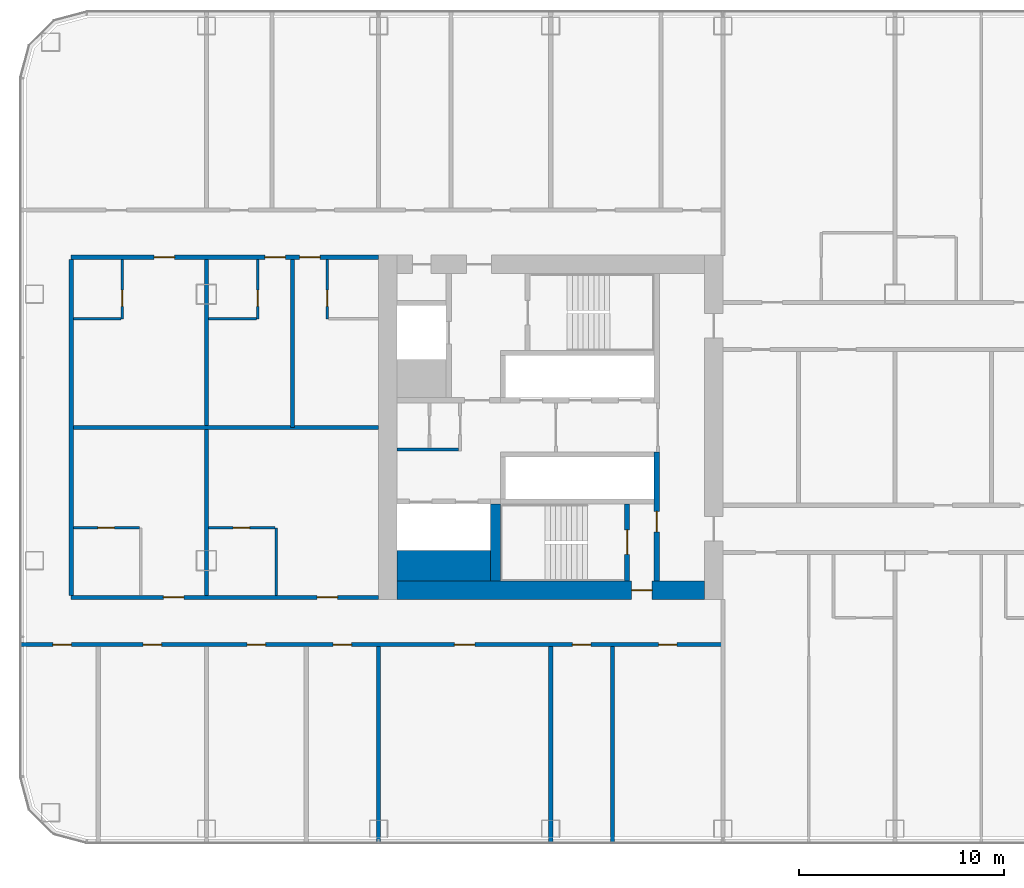
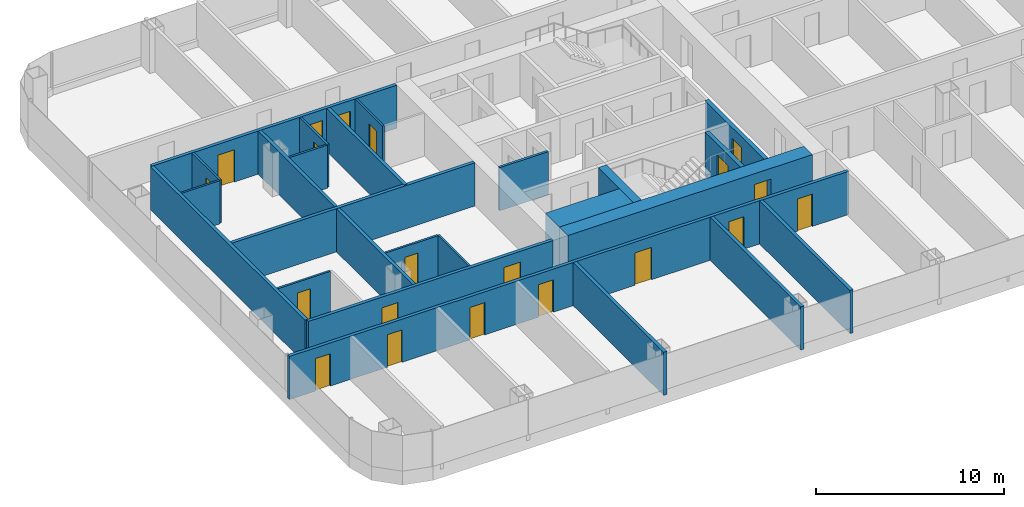
# One storey, part 13 of 28: 24 walls, 20 doors, 20 openings.
"""IFC4 building model written with IfcOpenShell, lengths in metres."""

from ifc_helpers import new_model, si_unit, direction, frame, frame_2d, origin, place, context, subcontext, project, spatial, rectangle, extrude, material, layer, layer_set, type_object, element, fill, save


model = new_model("IFC4")

# Units and contexts
model_context = context("Model", 3, precision=1e-05, world=origin(), true_north=direction((0.0, 1.0)))
body_context = subcontext(model_context, "Body", "Model", "MODEL_VIEW")
ifc_project = project(units=[si_unit("LENGTHUNIT", "METRE"), si_unit("AREAUNIT", "SQUARE_METRE"), si_unit("VOLUMEUNIT", "CUBIC_METRE"), si_unit("PLANEANGLEUNIT", "RADIAN"), si_unit("MASSUNIT", "GRAM", prefix="KILO")], contexts=[model_context])

# Site, building, storey
site_placement = place(None, origin())
site = spatial("IfcSite", under=ifc_project, at=site_placement, CompositionType="ELEMENT")
building_placement = place(site_placement, origin())
building = spatial("IfcBuilding", under=site, at=building_placement, Name="Hakoniwa Tower and Hamabe Station Hall", CompositionType="ELEMENT")
storey_placement = place(building_placement, frame((0.0, 0.0, 32.60009765625)))
storey = spatial("IfcBuildingStorey", under=building, at=storey_placement, Name="L08", CompositionType="ELEMENT", Elevation=32.60009765625)

# Wall, opening, door
ifc_material_1 = material(Name="Gypsum board partition", Category="gypsum")
ifc_layer_1 = layer(ifc_material_1, 0.125)
ifc_layer_set_1 = layer_set([ifc_layer_1], Name="Bathroom Partition 125")
wall_type_1 = type_object("IfcWallType", Name="Bathroom Partition 125", PredefinedType="PARTITIONING", material=ifc_layer_set_1)
wall_1_placement = place(storey_placement, frame((-48.5, -4.89990234375, 0.0), z_axis=(0.0, 0.0, 1.0), x_axis=(1.0, 0.0, 0.0)))
wall_1 = element("IfcWall", 1, at=wall_1_placement, inside=storey, type_object=wall_type_1, Name="GW-L08-011", PredefinedType="PARTITIONING", context=body_context, shape_type="SweptSolid", body=[
    extrude(rectangle(XDim=3.237548828125, YDim=0.125, at=frame_2d((1.61865234375, 0.0))), origin(), (0.0, 0.0, 1.0), 2.7998046875),
])
opening_1_placement = place(wall_1_placement, frame((1.199951171875, 0.0, 0.0)))
opening_1 = element("IfcOpeningElement", 2, at=opening_1_placement, cuts=wall_1, Name="Opening GD-G1E0-24", PredefinedType="OPENING", context=body_context, shape_type="SweptSolid", body=[
    extrude(rectangle(XDim=0.800048828125, YDim=2.10009765625, at=frame_2d((0.39990234375, 1.050048828125))), frame((0.0, 0.072509765625, 0.0), z_axis=(0.0, -1.0, 0.0), x_axis=(1.0, 0.0, 0.0)), (0.0, 0.0, 1.0), 0.14501953125),
])
ifc_material_2 = material(Name="Timber door leaf", Category="wood")
door_type_1 = type_object("IfcDoorType", Name="Bathroom Door 800", OperationType="SINGLE_SWING_LEFT", PredefinedType="DOOR", material=ifc_material_2)
door_1_placement = place(opening_1_placement, origin())
door_1 = element("IfcDoor", 3, at=door_1_placement, inside=storey, type_object=door_type_1, Name="Door GD-G1E0-24", OperationType="SINGLE_SWING_RIGHT", OverallHeight=2.10009765625, OverallWidth=0.800048828125, PredefinedType="DOOR", context=body_context, shape_type="SweptSolid", body=[
    extrude(rectangle(XDim=0.800048828125, YDim=2.10009765625, at=frame_2d((0.39990234375, 1.050048828125))), frame((0.0, 0.02490234375, 0.0), z_axis=(0.0, -1.0, 0.0), x_axis=(1.0, 0.0, 0.0)), (0.0, 0.0, 1.0), 0.050048828125),
])
fill(opening_1, door_1)

wall_2_placement = place(storey_placement, frame((-41.89990234375, -4.89990234375, 0.0), z_axis=(0.0, 0.0, 1.0), x_axis=(1.0, 0.0, 0.0)))
wall_2 = element("IfcWall", 4, at=wall_2_placement, inside=storey, type_object=wall_type_1, Name="GW-L08-012", PredefinedType="PARTITIONING", context=body_context, shape_type="SweptSolid", body=[
    extrude(rectangle(XDim=3.2373046875, YDim=0.125, at=frame_2d((1.61865234375, 0.0))), origin(), (0.0, 0.0, 1.0), 2.7998046875),
])
opening_2_placement = place(wall_2_placement, frame((1.199951171875, 0.0, 0.0)))
opening_2 = element("IfcOpeningElement", 5, at=opening_2_placement, cuts=wall_2, Name="Opening GD-G1E0-25", PredefinedType="OPENING", context=body_context, shape_type="SweptSolid", body=[
    extrude(rectangle(XDim=0.800048828125, YDim=2.10009765625, at=frame_2d((0.39990234375, 1.050048828125))), frame((0.0, 0.072509765625, 0.0), z_axis=(0.0, -1.0, 0.0), x_axis=(1.0, 0.0, 0.0)), (0.0, 0.0, 1.0), 0.14501953125),
])
door_2_placement = place(opening_2_placement, origin())
door_2 = element("IfcDoor", 6, at=door_2_placement, inside=storey, type_object=door_type_1, Name="Door GD-G1E0-25", OperationType="SINGLE_SWING_LEFT", OverallHeight=2.10009765625, OverallWidth=0.800048828125, PredefinedType="DOOR", context=body_context, shape_type="SweptSolid", body=[
    extrude(rectangle(XDim=0.800048828125, YDim=2.10009765625, at=frame_2d((0.39990234375, 1.050048828125))), frame((0.0, 0.02490234375, 0.0), z_axis=(0.0, -1.0, 0.0), x_axis=(1.0, 0.0, 0.0)), (0.0, 0.0, 1.0), 0.050048828125),
])
fill(opening_2, door_2)

# Walls
for number, where, z_axis, x_axis, name in (
    (7, (-48.5, 5.300048828125, 0.0), (0.0, 0.0, 1.0), (1.0, 0.0, 0.0), "GW-L08-019"),
    (8, (-41.89990234375, 5.300048828125, 0.0), (0.0, 0.0, 1.0), (1.0, 0.0, 0.0), "GW-L08-020"),
):
    element("IfcWall", number, at=place(storey_placement, frame(where, z_axis=z_axis, x_axis=x_axis)), inside=storey, type_object=wall_type_1, Name=name, PredefinedType="PARTITIONING", context=body_context, shape_type="SweptSolid", body=[
        extrude(rectangle(XDim=2.33740234375, YDim=0.125, at=frame_2d((1.168701171875, 0.0))), origin(), (0.0, 0.0, 1.0), 2.7998046875),
    ])

# Wall, opening, door
wall_3_placement = place(storey_placement, frame((-46.10009765625, 5.300048828125, 0.0), z_axis=(0.0, 0.0, 1.0), x_axis=(0.0, 1.0, 0.0)))
wall_3 = element("IfcWall", 9, at=wall_3_placement, inside=storey, type_object=wall_type_1, Name="GW-L08-038", PredefinedType="PARTITIONING", context=body_context, shape_type="SweptSolid", body=[
    extrude(rectangle(XDim=2.89990234375, YDim=0.125, at=frame_2d((1.449951171875, 0.0))), origin(), (0.0, 0.0, 1.0), 2.7998046875),
])
opening_3_placement = place(wall_3_placement, frame((0.60009765625, 0.0, 0.0)))
opening_3 = element("IfcOpeningElement", 10, at=opening_3_placement, cuts=wall_3, Name="Opening GD-G1E0-64", PredefinedType="OPENING", context=body_context, shape_type="SweptSolid", body=[
    extrude(rectangle(XDim=0.800048828125, YDim=2.10009765625, at=frame_2d((0.39990234375, 1.050048828125))), frame((0.0, 0.072509765625, 0.0), z_axis=(0.0, -1.0, 0.0), x_axis=(1.0, 0.0, 0.0)), (0.0, 0.0, 1.0), 0.14501953125),
])
door_3_placement = place(opening_3_placement, origin())
door_3 = element("IfcDoor", 11, at=door_3_placement, inside=storey, type_object=door_type_1, Name="Door GD-G1E0-64", OperationType="SINGLE_SWING_RIGHT", OverallHeight=2.10009765625, OverallWidth=0.800048828125, PredefinedType="DOOR", context=body_context, shape_type="SweptSolid", body=[
    extrude(rectangle(XDim=0.800048828125, YDim=2.10009765625, at=frame_2d((0.39990234375, 1.050048828125))), frame((0.0, 0.02490234375, 0.0), z_axis=(0.0, -1.0, 0.0), x_axis=(1.0, 0.0, 0.0)), (0.0, 0.0, 1.0), 0.050048828125),
])
fill(opening_3, door_3)

wall_4_placement = place(storey_placement, frame((-39.5, 5.300048828125, 0.0), z_axis=(0.0, 0.0, 1.0), x_axis=(0.0, 1.0, 0.0)))
wall_4 = element("IfcWall", 12, at=wall_4_placement, inside=storey, type_object=wall_type_1, Name="GW-L08-043", PredefinedType="PARTITIONING", context=body_context, shape_type="SweptSolid", body=[
    extrude(rectangle(XDim=2.89990234375, YDim=0.125, at=frame_2d((1.449951171875, 0.0))), origin(), (0.0, 0.0, 1.0), 2.7998046875),
])
opening_4_placement = place(wall_4_placement, frame((0.60009765625, 0.0, 0.0)))
opening_4 = element("IfcOpeningElement", 13, at=opening_4_placement, cuts=wall_4, Name="Opening GD-G1E0-65", PredefinedType="OPENING", context=body_context, shape_type="SweptSolid", body=[
    extrude(rectangle(XDim=0.800048828125, YDim=2.10009765625, at=frame_2d((0.39990234375, 1.050048828125))), frame((0.0, 0.072509765625, 0.0), z_axis=(0.0, -1.0, 0.0), x_axis=(1.0, 0.0, 0.0)), (0.0, 0.0, 1.0), 0.14501953125),
])
door_4_placement = place(opening_4_placement, origin())
door_4 = element("IfcDoor", 14, at=door_4_placement, inside=storey, type_object=door_type_1, Name="Door GD-G1E0-65", OperationType="SINGLE_SWING_RIGHT", OverallHeight=2.10009765625, OverallWidth=0.800048828125, PredefinedType="DOOR", context=body_context, shape_type="SweptSolid", body=[
    extrude(rectangle(XDim=0.800048828125, YDim=2.10009765625, at=frame_2d((0.39990234375, 1.050048828125))), frame((0.0, 0.02490234375, 0.0), z_axis=(0.0, -1.0, 0.0), x_axis=(1.0, 0.0, 0.0)), (0.0, 0.0, 1.0), 0.050048828125),
])
fill(opening_4, door_4)

# Wall
wall_5_placement = place(storey_placement, frame((-38.60009765625, -8.199951171875, 0.0), z_axis=(0.0, 0.0, 1.0), x_axis=(0.0, 1.0, 0.0)))
element("IfcWall", 15, at=wall_5_placement, inside=storey, type_object=wall_type_1, Name="GW-L08-045", PredefinedType="PARTITIONING", context=body_context, shape_type="SweptSolid", body=[
    extrude(rectangle(XDim=3.300048828125, YDim=0.125, at=frame_2d((1.64990234375, 0.0))), origin(), (0.0, 0.0, 1.0), 2.7998046875),
])

# Wall, opening, door
wall_6_placement = place(storey_placement, frame((-36.10009765625, 5.300048828125, 0.0), z_axis=(0.0, 0.0, 1.0), x_axis=(0.0, 1.0, 0.0)))
wall_6 = element("IfcWall", 16, at=wall_6_placement, inside=storey, type_object=wall_type_1, Name="GW-L08-048", PredefinedType="PARTITIONING", context=body_context, shape_type="SweptSolid", body=[
    extrude(rectangle(XDim=2.89990234375, YDim=0.125, at=frame_2d((1.449951171875, 0.0))), origin(), (0.0, 0.0, 1.0), 2.7998046875),
])
opening_5_placement = place(wall_6_placement, frame((0.60009765625, 0.0, 0.0)))
opening_5 = element("IfcOpeningElement", 17, at=opening_5_placement, cuts=wall_6, Name="Opening GD-G1E0-66", PredefinedType="OPENING", context=body_context, shape_type="SweptSolid", body=[
    extrude(rectangle(XDim=0.800048828125, YDim=2.10009765625, at=frame_2d((0.39990234375, 1.050048828125))), frame((0.0, 0.072509765625, 0.0), z_axis=(0.0, -1.0, 0.0), x_axis=(1.0, 0.0, 0.0)), (0.0, 0.0, 1.0), 0.14501953125),
])
door_5_placement = place(opening_5_placement, origin())
door_5 = element("IfcDoor", 18, at=door_5_placement, inside=storey, type_object=door_type_1, Name="Door GD-G1E0-66", OperationType="SINGLE_SWING_LEFT", OverallHeight=2.10009765625, OverallWidth=0.800048828125, PredefinedType="DOOR", context=body_context, shape_type="SweptSolid", body=[
    extrude(rectangle(XDim=0.800048828125, YDim=2.10009765625, at=frame_2d((0.39990234375, 1.050048828125))), frame((0.0, 0.02490234375, 0.0), z_axis=(0.0, -1.0, 0.0), x_axis=(1.0, 0.0, 0.0)), (0.0, 0.0, 1.0), 0.050048828125),
])
fill(opening_5, door_5)

# Wall
ifc_material_3 = material(Name="Gypsum board partition")
ifc_layer_2 = layer(ifc_material_3, 0.14990234375)
ifc_layer_set_2 = layer_set([ifc_layer_2], Name="CORE PARTITION 150 EI 60")
wall_type_2 = type_object("IfcWallType", Name="CORE PARTITION 150 EI 60", PredefinedType="PARTITIONING", material=ifc_layer_set_2)
wall_7_placement = place(storey_placement, frame((-32.699951171875, -1.074951171875, 0.0), z_axis=(0.0, 0.0, 1.0), x_axis=(1.0, 0.0, 0.0)))
element("IfcWall", 19, at=wall_7_placement, inside=storey, type_object=wall_type_2, Name="Core partition PS west", PredefinedType="PARTITIONING", context=body_context, shape_type="SweptSolid", body=[
    extrude(rectangle(XDim=3.0, YDim=0.14990234375, at=frame_2d((1.5, 0.0))), origin(), (0.0, 0.0, 1.0), 2.7998046875),
])

# Wall, opening, door
ifc_material_4 = material(Name="Concrete C80", Category="concrete")
ifc_layer_3 = layer(ifc_material_4, 0.89990234375)
ifc_layer_set_3 = layer_set([ifc_layer_3], Name="CORE WALL 900 C80")
wall_type_3 = type_object("IfcWallType", Name="CORE WALL 900 C80", PredefinedType="SHEAR", material=ifc_layer_set_3)
wall_8_placement = place(storey_placement, frame((-32.699951171875, -7.949951171875, 0.0), z_axis=(0.0, 0.0, 1.0), x_axis=(1.0, 0.0, 0.0)))
wall_8 = element("IfcWall", 20, at=wall_8_placement, inside=storey, type_object=wall_type_3, Name="Core wall SOUTH west", PredefinedType="SHEAR", context=body_context, shape_type="SweptSolid", body=[
    extrude(rectangle(XDim=15.0, YDim=0.89990234375, at=frame_2d((7.5, 0.0))), origin(), (0.0, 0.0, 1.0), 2.7998046875),
])
opening_6_placement = place(wall_8_placement, frame((11.449951171875, 0.0, 0.0)))
opening_6 = element("IfcOpeningElement", 21, at=opening_6_placement, cuts=wall_8, Name="Opening CD-W-FS3-10", PredefinedType="OPENING", context=body_context, shape_type="SweptSolid", body=[
    extrude(rectangle(XDim=1.0, YDim=2.10009765625, at=frame_2d((0.5, 1.050048828125))), frame((0.0, 0.4599609375, 0.0), z_axis=(0.0, -1.0, 0.0), x_axis=(1.0, 0.0, 0.0)), (0.0, 0.0, 1.0), 0.919921875),
])
ifc_material_5 = material(Name="Steel fire door", Category="steel")
door_type_2 = type_object("IfcDoorType", Name="CORE DOOR 1000 FD60", OperationType="NOTDEFINED", PredefinedType="DOOR", material=ifc_material_5)
door_6_placement = place(opening_6_placement, origin())
door_6 = element("IfcDoor", 22, at=door_6_placement, inside=storey, type_object=door_type_2, Name="Stair vestibule door", OperationType="SINGLE_SWING_RIGHT", OverallHeight=2.10009765625, OverallWidth=1.0, PredefinedType="DOOR", context=body_context, shape_type="SweptSolid", body=[
    extrude(rectangle(XDim=1.0, YDim=2.10009765625, at=frame_2d((0.5, 1.050048828125))), frame((0.0, 0.02490234375, 0.0), z_axis=(0.0, -1.0, 0.0), x_axis=(1.0, 0.0, 0.0)), (0.0, 0.0, 1.0), 0.050048828125),
])
fill(opening_6, door_6)

# Wall
ifc_material_6 = material(Name="Concrete C80", Category="concrete")
ifc_layer_4 = layer(ifc_material_6, 1.5)
ifc_layer_set_4 = layer_set([ifc_layer_4], Name="CORE WEB WALL 1500 C80")
wall_type_4 = type_object("IfcWallType", Name="CORE WEB WALL 1500 C80", PredefinedType="SHEAR", material=ifc_layer_set_4)
wall_9_placement = place(storey_placement, frame((-32.699951171875, -6.75, 0.0), z_axis=(0.0, 0.0, 1.0), x_axis=(1.0, 0.0, 0.0)))
element("IfcWall", 23, at=wall_9_placement, inside=storey, type_object=wall_type_4, Name="Core wall SER west", PredefinedType="SHEAR", context=body_context, shape_type="SweptSolid", body=[
    extrude(rectangle(XDim=4.550048828125, YDim=1.5, at=frame_2d((2.27490234375, 0.0))), origin(), (0.0, 0.0, 1.0), 2.7998046875),
])

# Wall, opening, door
ifc_material_7 = material(Name="Concrete C80", Category="concrete")
ifc_layer_5 = layer(ifc_material_7, 0.25)
ifc_layer_set_5 = layer_set([ifc_layer_5], Name="CORE WEB WALL 250 C80")
wall_type_5 = type_object("IfcWallType", Name="CORE WEB WALL 250 C80", PredefinedType="SHEAR", material=ifc_layer_set_5)
wall_10_placement = place(storey_placement, frame((-20.02490234375, -7.5, 0.0), z_axis=(0.0, 0.0, 1.0), x_axis=(0.0, 1.0, 0.0)))
wall_10 = element("IfcWall", 24, at=wall_10_placement, inside=storey, type_object=wall_type_5, Name="Core wall W1S west", PredefinedType="SHEAR", context=body_context, shape_type="SweptSolid", body=[
    extrude(rectangle(XDim=6.300048828125, YDim=0.25, at=frame_2d((3.14990234375, 0.0))), origin(), (0.0, 0.0, 1.0), 2.7998046875),
])
opening_7_placement = place(wall_10_placement, frame((2.39990234375, 0.0, 0.0)))
opening_7 = element("IfcOpeningElement", 25, at=opening_7_placement, cuts=wall_10, Name="Opening CD-W-VS-10", PredefinedType="OPENING", context=body_context, shape_type="SweptSolid", body=[
    extrude(rectangle(XDim=1.0, YDim=2.10009765625, at=frame_2d((0.5, 1.050048828125))), frame((0.0, 0.135009765625, 0.0), z_axis=(0.0, -1.0, 0.0), x_axis=(1.0, 0.0, 0.0)), (0.0, 0.0, 1.0), 0.27001953125),
])
door_7_placement = place(opening_7_placement, origin())
door_7 = element("IfcDoor", 26, at=door_7_placement, inside=storey, type_object=door_type_2, Name="Stair vestibule door", OperationType="SINGLE_SWING_LEFT", OverallHeight=2.10009765625, OverallWidth=1.0, PredefinedType="DOOR", context=body_context, shape_type="SweptSolid", body=[
    extrude(rectangle(XDim=1.0, YDim=2.10009765625, at=frame_2d((0.5, 1.050048828125))), frame((0.0, 0.02490234375, 0.0), z_axis=(0.0, -1.0, 0.0), x_axis=(1.0, 0.0, 0.0)), (0.0, 0.0, 1.0), 0.050048828125),
])
fill(opening_7, door_7)

wall_11_placement = place(storey_placement, frame((-21.47509765625, -7.5, 0.0), z_axis=(0.0, 0.0, 1.0), x_axis=(0.0, 1.0, 0.0)))
wall_11 = element("IfcWall", 27, at=wall_11_placement, inside=storey, type_object=wall_type_5, Name="Core wall VE west", PredefinedType="SHEAR", context=body_context, shape_type="SweptSolid", body=[
    extrude(rectangle(XDim=3.75, YDim=0.25, at=frame_2d((1.875, 0.0))), origin(), (0.0, 0.0, 1.0), 2.7998046875),
])
opening_8_placement = place(wall_11_placement, frame((1.300048828125, 0.0, 0.0)))
opening_8 = element("IfcOpeningElement", 28, at=opening_8_placement, cuts=wall_11, Name="Opening CD-W-SS-12", PredefinedType="OPENING", context=body_context, shape_type="SweptSolid", body=[
    extrude(rectangle(XDim=1.199951171875, YDim=2.10009765625, at=frame_2d((0.60009765625, 1.050048828125))), frame((0.0, 0.135009765625, 0.0), z_axis=(0.0, -1.0, 0.0), x_axis=(1.0, 0.0, 0.0)), (0.0, 0.0, 1.0), 0.27001953125),
])
ifc_material_8 = material(Name="Steel fire door", Category="steel")
door_type_3 = type_object("IfcDoorType", Name="CORE DOOR 1200 FD60", OperationType="DOUBLE_DOOR_SINGLE_SWING", PredefinedType="DOOR", material=ifc_material_8)
door_8_placement = place(opening_8_placement, origin())
door_8 = element("IfcDoor", 29, at=door_8_placement, inside=storey, type_object=door_type_3, Name="Escape stair door", OperationType="DOUBLE_DOOR_SINGLE_SWING", OverallHeight=2.10009765625, OverallWidth=1.199951171875, PredefinedType="DOOR", context=body_context, shape_type="SweptSolid", body=[
    extrude(rectangle(XDim=1.199951171875, YDim=2.10009765625, at=frame_2d((0.60009765625, 1.050048828125))), frame((0.0, 0.02490234375, 0.0), z_axis=(0.0, -1.0, 0.0), x_axis=(1.0, 0.0, 0.0)), (0.0, 0.0, 1.0), 0.050048828125),
])
fill(opening_8, door_8)

# Wall
ifc_material_9 = material(Name="Concrete C80", Category="concrete")
ifc_layer_6 = layer(ifc_material_9, 0.5)
ifc_layer_set_6 = layer_set([ifc_layer_6], Name="CORE WEB WALL 500 C80")
wall_type_6 = type_object("IfcWallType", Name="CORE WEB WALL 500 C80", PredefinedType="SHEAR", material=ifc_layer_set_6)
wall_12_placement = place(storey_placement, frame((-27.89990234375, -7.5, 0.0), z_axis=(0.0, 0.0, 1.0), x_axis=(0.0, 1.0, 0.0)))
element("IfcWall", 30, at=wall_12_placement, inside=storey, type_object=wall_type_6, Name="Core wall SSE west", PredefinedType="SHEAR", context=body_context, shape_type="SweptSolid", body=[
    extrude(rectangle(XDim=3.75, YDim=0.5, at=frame_2d((1.875, 0.0))), origin(), (0.0, 0.0, 1.0), 2.7998046875),
])

# Wall, openings, doors
ifc_material_10 = material(Name="Fire-rated gypsum board partition", Category="gypsum")
ifc_layer_7 = layer(ifc_material_10, 0.199951171875)
ifc_layer_set_7 = layer_set([ifc_layer_7], Name="Corridor Wall 200")
wall_type_7 = type_object("IfcWallType", Name="Corridor Wall 200", PredefinedType="PARTITIONING", material=ifc_layer_set_7)
wall_13_placement = place(storey_placement, frame((-51.10009765625, -10.60009765625, 0.0), z_axis=(0.0, 0.0, 1.0), x_axis=(1.0, 0.0, 0.0)))
wall_13 = element("IfcWall", 31, at=wall_13_placement, inside=storey, type_object=wall_type_7, Name="GW-L08-001", PredefinedType="PARTITIONING", context=body_context, shape_type="SweptSolid", body=[
    extrude(rectangle(XDim=34.300048828125, YDim=0.199951171875, at=frame_2d((17.14990234375, 0.0))), origin(), (0.0, 0.0, 1.0), 2.7998046875),
])
opening_9_placement = place(wall_13_placement, frame((1.610107421875, 0.0, 0.0)))
opening_9 = element("IfcOpeningElement", 32, at=opening_9_placement, cuts=wall_13, Name="Opening GD-G1E0-01", PredefinedType="OPENING", context=body_context, shape_type="SweptSolid", body=[
    extrude(rectangle(XDim=0.89990234375, YDim=2.10009765625, at=frame_2d((0.449951171875, 1.050048828125))), frame((0.0, 0.10986328125, 0.0), z_axis=(0.0, -1.0, 0.0), x_axis=(1.0, 0.0, 0.0)), (0.0, 0.0, 1.0), 0.219970703125),
])
opening_10_placement = place(wall_13_placement, frame((6.010009765625, 0.0, 0.0)))
opening_10 = element("IfcOpeningElement", 33, at=opening_10_placement, cuts=wall_13, Name="Opening GD-G1E0-02", PredefinedType="OPENING", context=body_context, shape_type="SweptSolid", body=[
    extrude(rectangle(XDim=0.89990234375, YDim=2.10009765625, at=frame_2d((0.449951171875, 1.050048828125))), frame((0.0, 0.10986328125, 0.0), z_axis=(0.0, -1.0, 0.0), x_axis=(1.0, 0.0, 0.0)), (0.0, 0.0, 1.0), 0.219970703125),
])
opening_11_placement = place(wall_13_placement, frame((11.0849609375, 0.0, 0.0)))
opening_11 = element("IfcOpeningElement", 34, at=opening_11_placement, cuts=wall_13, Name="Opening GD-G1E0-03", PredefinedType="OPENING", context=body_context, shape_type="SweptSolid", body=[
    extrude(rectangle(XDim=0.89990234375, YDim=2.10009765625, at=frame_2d((0.449951171875, 1.050048828125))), frame((0.0, 0.10986328125, 0.0), z_axis=(0.0, -1.0, 0.0), x_axis=(1.0, 0.0, 0.0)), (0.0, 0.0, 1.0), 0.219970703125),
])
opening_12_placement = place(wall_13_placement, frame((15.284912109375, 0.0, 0.0)))
opening_12 = element("IfcOpeningElement", 35, at=opening_12_placement, cuts=wall_13, Name="Opening GD-G1E0-04", PredefinedType="OPENING", context=body_context, shape_type="SweptSolid", body=[
    extrude(rectangle(XDim=0.89990234375, YDim=2.10009765625, at=frame_2d((0.449951171875, 1.050048828125))), frame((0.0, 0.10986328125, 0.0), z_axis=(0.0, -1.0, 0.0), x_axis=(1.0, 0.0, 0.0)), (0.0, 0.0, 1.0), 0.219970703125),
])
opening_13_placement = place(wall_13_placement, frame((21.199951171875, 0.0, 0.0)))
opening_13 = element("IfcOpeningElement", 36, at=opening_13_placement, cuts=wall_13, Name="Opening GD-G1E0-05", PredefinedType="OPENING", context=body_context, shape_type="SweptSolid", body=[
    extrude(rectangle(XDim=1.0, YDim=2.10009765625, at=frame_2d((0.5, 1.050048828125))), frame((0.0, 0.10986328125, 0.0), z_axis=(0.0, -1.0, 0.0), x_axis=(1.0, 0.0, 0.0)), (0.0, 0.0, 1.0), 0.219970703125),
])
opening_14_placement = place(wall_13_placement, frame((26.9599609375, 0.0, 0.0)))
opening_14 = element("IfcOpeningElement", 37, at=opening_14_placement, cuts=wall_13, Name="Opening GD-G1E0-06", PredefinedType="OPENING", context=body_context, shape_type="SweptSolid", body=[
    extrude(rectangle(XDim=0.89990234375, YDim=2.10009765625, at=frame_2d((0.449951171875, 1.050048828125))), frame((0.0, 0.10986328125, 0.0), z_axis=(0.0, -1.0, 0.0), x_axis=(1.0, 0.0, 0.0)), (0.0, 0.0, 1.0), 0.219970703125),
])
opening_15_placement = place(wall_13_placement, frame((31.159912109375, 0.0, 0.0)))
opening_15 = element("IfcOpeningElement", 38, at=opening_15_placement, cuts=wall_13, Name="Opening GD-G1E0-07", PredefinedType="OPENING", context=body_context, shape_type="SweptSolid", body=[
    extrude(rectangle(XDim=0.89990234375, YDim=2.10009765625, at=frame_2d((0.449951171875, 1.050048828125))), frame((0.0, 0.10986328125, 0.0), z_axis=(0.0, -1.0, 0.0), x_axis=(1.0, 0.0, 0.0)), (0.0, 0.0, 1.0), 0.219970703125),
])
ifc_material_11 = material(Name="Timber door leaf", Category="wood")
door_type_4 = type_object("IfcDoorType", Name="Guest Entrance Door 1000", OperationType="SINGLE_SWING_LEFT", PredefinedType="DOOR", material=ifc_material_11)
door_9_placement = place(opening_13_placement, origin())
door_9 = element("IfcDoor", 39, at=door_9_placement, inside=storey, type_object=door_type_4, Name="Door GD-G1E0-05", OperationType="SINGLE_SWING_LEFT", OverallHeight=2.10009765625, OverallWidth=1.0, PredefinedType="DOOR", context=body_context, shape_type="SweptSolid", body=[
    extrude(rectangle(XDim=1.0, YDim=2.10009765625, at=frame_2d((0.5, 1.050048828125))), frame((0.0, 0.02490234375, 0.0), z_axis=(0.0, -1.0, 0.0), x_axis=(1.0, 0.0, 0.0)), (0.0, 0.0, 1.0), 0.050048828125),
])
fill(opening_13, door_9)
ifc_material_12 = material(Name="Timber door leaf", Category="wood")
door_type_5 = type_object("IfcDoorType", Name="Service Door 900", OperationType="SINGLE_SWING_LEFT", PredefinedType="DOOR", material=ifc_material_12)
door_10_placement = place(opening_9_placement, origin())
door_10 = element("IfcDoor", 40, at=door_10_placement, inside=storey, type_object=door_type_5, Name="Door GD-G1E0-01", OperationType="SINGLE_SWING_RIGHT", OverallHeight=2.10009765625, OverallWidth=0.89990234375, PredefinedType="DOOR", context=body_context, shape_type="SweptSolid", body=[
    extrude(rectangle(XDim=0.89990234375, YDim=2.10009765625, at=frame_2d((0.449951171875, 1.050048828125))), frame((0.0, 0.02490234375, 0.0), z_axis=(0.0, -1.0, 0.0), x_axis=(1.0, 0.0, 0.0)), (0.0, 0.0, 1.0), 0.050048828125),
])
fill(opening_9, door_10)
door_11_placement = place(opening_10_placement, origin())
door_11 = element("IfcDoor", 41, at=door_11_placement, inside=storey, type_object=door_type_5, Name="Door GD-G1E0-02", OperationType="SINGLE_SWING_RIGHT", OverallHeight=2.10009765625, OverallWidth=0.89990234375, PredefinedType="DOOR", context=body_context, shape_type="SweptSolid", body=[
    extrude(rectangle(XDim=0.89990234375, YDim=2.10009765625, at=frame_2d((0.449951171875, 1.050048828125))), frame((0.0, 0.02490234375, 0.0), z_axis=(0.0, -1.0, 0.0), x_axis=(1.0, 0.0, 0.0)), (0.0, 0.0, 1.0), 0.050048828125),
])
fill(opening_10, door_11)
door_12_placement = place(opening_11_placement, origin())
door_12 = element("IfcDoor", 42, at=door_12_placement, inside=storey, type_object=door_type_5, Name="Door GD-G1E0-03", OperationType="SINGLE_SWING_LEFT", OverallHeight=2.10009765625, OverallWidth=0.89990234375, PredefinedType="DOOR", context=body_context, shape_type="SweptSolid", body=[
    extrude(rectangle(XDim=0.89990234375, YDim=2.10009765625, at=frame_2d((0.449951171875, 1.050048828125))), frame((0.0, 0.02490234375, 0.0), z_axis=(0.0, -1.0, 0.0), x_axis=(1.0, 0.0, 0.0)), (0.0, 0.0, 1.0), 0.050048828125),
])
fill(opening_11, door_12)
door_13_placement = place(opening_12_placement, origin())
door_13 = element("IfcDoor", 43, at=door_13_placement, inside=storey, type_object=door_type_5, Name="Door GD-G1E0-04", OperationType="SINGLE_SWING_RIGHT", OverallHeight=2.10009765625, OverallWidth=0.89990234375, PredefinedType="DOOR", context=body_context, shape_type="SweptSolid", body=[
    extrude(rectangle(XDim=0.89990234375, YDim=2.10009765625, at=frame_2d((0.449951171875, 1.050048828125))), frame((0.0, 0.02490234375, 0.0), z_axis=(0.0, -1.0, 0.0), x_axis=(1.0, 0.0, 0.0)), (0.0, 0.0, 1.0), 0.050048828125),
])
fill(opening_12, door_13)
door_14_placement = place(opening_14_placement, origin())
door_14 = element("IfcDoor", 44, at=door_14_placement, inside=storey, type_object=door_type_5, Name="Door GD-G1E0-06", OperationType="SINGLE_SWING_RIGHT", OverallHeight=2.10009765625, OverallWidth=0.89990234375, PredefinedType="DOOR", context=body_context, shape_type="SweptSolid", body=[
    extrude(rectangle(XDim=0.89990234375, YDim=2.10009765625, at=frame_2d((0.449951171875, 1.050048828125))), frame((0.0, 0.02490234375, 0.0), z_axis=(0.0, -1.0, 0.0), x_axis=(1.0, 0.0, 0.0)), (0.0, 0.0, 1.0), 0.050048828125),
])
fill(opening_14, door_14)
door_15_placement = place(opening_15_placement, origin())
door_15 = element("IfcDoor", 45, at=door_15_placement, inside=storey, type_object=door_type_5, Name="Door GD-G1E0-07", OperationType="SINGLE_SWING_LEFT", OverallHeight=2.10009765625, OverallWidth=0.89990234375, PredefinedType="DOOR", context=body_context, shape_type="SweptSolid", body=[
    extrude(rectangle(XDim=0.89990234375, YDim=2.10009765625, at=frame_2d((0.449951171875, 1.050048828125))), frame((0.0, 0.02490234375, 0.0), z_axis=(0.0, -1.0, 0.0), x_axis=(1.0, 0.0, 0.0)), (0.0, 0.0, 1.0), 0.050048828125),
])
fill(opening_15, door_15)

wall_14_placement = place(storey_placement, frame((-48.60009765625, -8.300048828125, 0.0), z_axis=(0.0, 0.0, 1.0), x_axis=(1.0, 0.0, 0.0)))
wall_14 = element("IfcWall", 46, at=wall_14_placement, inside=storey, type_object=wall_type_7, Name="GW-L08-006", PredefinedType="PARTITIONING", context=body_context, shape_type="SweptSolid", body=[
    extrude(rectangle(XDim=15.0, YDim=0.199951171875, at=frame_2d((7.5, 0.0))), origin(), (0.0, 0.0, 1.0), 2.7998046875),
])
opening_16_placement = place(wall_14_placement, frame((4.5, 0.0, 0.0)))
opening_16 = element("IfcOpeningElement", 47, at=opening_16_placement, cuts=wall_14, Name="Opening GD-G1E0-15", PredefinedType="OPENING", context=body_context, shape_type="SweptSolid", body=[
    extrude(rectangle(XDim=1.0, YDim=2.10009765625, at=frame_2d((0.5, 1.050048828125))), frame((0.0, 0.10986328125, 0.0), z_axis=(0.0, -1.0, 0.0), x_axis=(1.0, 0.0, 0.0)), (0.0, 0.0, 1.0), 0.219970703125),
])
opening_17_placement = place(wall_14_placement, frame((12.0, 0.0, 0.0)))
opening_17 = element("IfcOpeningElement", 48, at=opening_17_placement, cuts=wall_14, Name="Opening GD-G1E0-16", PredefinedType="OPENING", context=body_context, shape_type="SweptSolid", body=[
    extrude(rectangle(XDim=1.0, YDim=2.10009765625, at=frame_2d((0.5, 1.050048828125))), frame((0.0, 0.10986328125, 0.0), z_axis=(0.0, -1.0, 0.0), x_axis=(1.0, 0.0, 0.0)), (0.0, 0.0, 1.0), 0.219970703125),
])
door_16_placement = place(opening_16_placement, origin())
door_16 = element("IfcDoor", 49, at=door_16_placement, inside=storey, type_object=door_type_4, Name="Door GD-G1E0-15", OperationType="SINGLE_SWING_LEFT", OverallHeight=2.10009765625, OverallWidth=1.0, PredefinedType="DOOR", context=body_context, shape_type="SweptSolid", body=[
    extrude(rectangle(XDim=1.0, YDim=2.10009765625, at=frame_2d((0.5, 1.050048828125))), frame((0.0, 0.02490234375, 0.0), z_axis=(0.0, -1.0, 0.0), x_axis=(1.0, 0.0, 0.0)), (0.0, 0.0, 1.0), 0.050048828125),
])
fill(opening_16, door_16)
door_17_placement = place(opening_17_placement, origin())
door_17 = element("IfcDoor", 50, at=door_17_placement, inside=storey, type_object=door_type_4, Name="Door GD-G1E0-16", OperationType="SINGLE_SWING_RIGHT", OverallHeight=2.10009765625, OverallWidth=1.0, PredefinedType="DOOR", context=body_context, shape_type="SweptSolid", body=[
    extrude(rectangle(XDim=1.0, YDim=2.10009765625, at=frame_2d((0.5, 1.050048828125))), frame((0.0, 0.02490234375, 0.0), z_axis=(0.0, -1.0, 0.0), x_axis=(1.0, 0.0, 0.0)), (0.0, 0.0, 1.0), 0.050048828125),
])
fill(opening_17, door_17)

wall_15_placement = place(storey_placement, frame((-48.60009765625, 8.300048828125, 0.0), z_axis=(0.0, 0.0, 1.0), x_axis=(1.0, 0.0, 0.0)))
wall_15 = element("IfcWall", 51, at=wall_15_placement, inside=storey, type_object=wall_type_7, Name="GW-L08-025", PredefinedType="PARTITIONING", context=body_context, shape_type="SweptSolid", body=[
    extrude(rectangle(XDim=15.0, YDim=0.199951171875, at=frame_2d((7.5, 0.0))), origin(), (0.0, 0.0, 1.0), 2.7998046875),
])
opening_18_placement = place(wall_15_placement, frame((4.050048828125, 0.0, 0.0)))
opening_18 = element("IfcOpeningElement", 52, at=opening_18_placement, cuts=wall_15, Name="Opening GD-G1E0-40", PredefinedType="OPENING", context=body_context, shape_type="SweptSolid", body=[
    extrude(rectangle(XDim=1.0, YDim=2.10009765625, at=frame_2d((0.5, 1.050048828125))), frame((0.0, 0.10986328125, 0.0), z_axis=(0.0, -1.0, 0.0), x_axis=(1.0, 0.0, 0.0)), (0.0, 0.0, 1.0), 0.219970703125),
])
opening_19_placement = place(wall_15_placement, frame((9.449951171875, 0.0, 0.0)))
opening_19 = element("IfcOpeningElement", 53, at=opening_19_placement, cuts=wall_15, Name="Opening GD-G1E0-41", PredefinedType="OPENING", context=body_context, shape_type="SweptSolid", body=[
    extrude(rectangle(XDim=1.0, YDim=2.10009765625, at=frame_2d((0.5, 1.050048828125))), frame((0.0, 0.10986328125, 0.0), z_axis=(0.0, -1.0, 0.0), x_axis=(1.0, 0.0, 0.0)), (0.0, 0.0, 1.0), 0.219970703125),
])
opening_20_placement = place(wall_15_placement, frame((11.14990234375, 0.0, 0.0)))
opening_20 = element("IfcOpeningElement", 54, at=opening_20_placement, cuts=wall_15, Name="Opening GD-G1E0-42", PredefinedType="OPENING", context=body_context, shape_type="SweptSolid", body=[
    extrude(rectangle(XDim=1.0, YDim=2.10009765625, at=frame_2d((0.5, 1.050048828125))), frame((0.0, 0.10986328125, 0.0), z_axis=(0.0, -1.0, 0.0), x_axis=(1.0, 0.0, 0.0)), (0.0, 0.0, 1.0), 0.219970703125),
])
door_18_placement = place(opening_18_placement, origin())
door_18 = element("IfcDoor", 55, at=door_18_placement, inside=storey, type_object=door_type_4, Name="Door GD-G1E0-40", OperationType="SINGLE_SWING_RIGHT", OverallHeight=2.10009765625, OverallWidth=1.0, PredefinedType="DOOR", context=body_context, shape_type="SweptSolid", body=[
    extrude(rectangle(XDim=1.0, YDim=2.10009765625, at=frame_2d((0.5, 1.050048828125))), frame((0.0, 0.02490234375, 0.0), z_axis=(0.0, -1.0, 0.0), x_axis=(1.0, 0.0, 0.0)), (0.0, 0.0, 1.0), 0.050048828125),
])
fill(opening_18, door_18)
door_19_placement = place(opening_19_placement, origin())
door_19 = element("IfcDoor", 56, at=door_19_placement, inside=storey, type_object=door_type_4, Name="Door GD-G1E0-41", OperationType="SINGLE_SWING_LEFT", OverallHeight=2.10009765625, OverallWidth=1.0, PredefinedType="DOOR", context=body_context, shape_type="SweptSolid", body=[
    extrude(rectangle(XDim=1.0, YDim=2.10009765625, at=frame_2d((0.5, 1.050048828125))), frame((0.0, 0.02490234375, 0.0), z_axis=(0.0, -1.0, 0.0), x_axis=(1.0, 0.0, 0.0)), (0.0, 0.0, 1.0), 0.050048828125),
])
fill(opening_19, door_19)
door_20_placement = place(opening_20_placement, origin())
door_20 = element("IfcDoor", 57, at=door_20_placement, inside=storey, type_object=door_type_4, Name="Door GD-G1E0-42", OperationType="SINGLE_SWING_RIGHT", OverallHeight=2.10009765625, OverallWidth=1.0, PredefinedType="DOOR", context=body_context, shape_type="SweptSolid", body=[
    extrude(rectangle(XDim=1.0, YDim=2.10009765625, at=frame_2d((0.5, 1.050048828125))), frame((0.0, 0.02490234375, 0.0), z_axis=(0.0, -1.0, 0.0), x_axis=(1.0, 0.0, 0.0)), (0.0, 0.0, 1.0), 0.050048828125),
])
fill(opening_20, door_20)

# Walls
ifc_material_13 = material(Name="Fire-rated gypsum board partition", Category="gypsum")
ifc_layer_8 = layer(ifc_material_13, 0.199951171875)
ifc_layer_set_8 = layer_set([ifc_layer_8], Name="Party Wall 200")
wall_type_8 = type_object("IfcWallType", Name="Party Wall 200", PredefinedType="PARTITIONING", material=ifc_layer_set_8)
wall_16_placement = place(storey_placement, frame((-48.5, 0.0, 0.0), z_axis=(0.0, 0.0, 1.0), x_axis=(1.0, 0.0, 0.0)))
element("IfcWall", 58, at=wall_16_placement, inside=storey, type_object=wall_type_8, Name="GW-L08-015", PredefinedType="PARTITIONING", context=body_context, shape_type="SweptSolid", body=[
    extrude(rectangle(XDim=14.89990234375, YDim=0.199951171875, at=frame_2d((7.449951171875, 0.0))), origin(), (0.0, 0.0, 1.0), 2.7998046875),
])
for number, where, z_axis, x_axis, name in (
    (59, (-48.60009765625, -8.199951171875, 0.0), (0.0, 0.0, 1.0), (0.0, 1.0, 0.0), "GW-L08-036"),
    (60, (-42.0, -8.199951171875, 0.0), (0.0, 0.0, 1.0), (0.0, 1.0, 0.0), "GW-L08-041"),
):
    element("IfcWall", number, at=place(storey_placement, frame(where, z_axis=z_axis, x_axis=x_axis)), inside=storey, type_object=wall_type_8, Name=name, PredefinedType="PARTITIONING", context=body_context, shape_type="SweptSolid", body=[
        extrude(rectangle(XDim=16.39990234375, YDim=0.199951171875, at=frame_2d((8.199951171875, 0.0))), origin(), (0.0, 0.0, 1.0), 2.7998046875),
    ])
wall_17_placement = place(storey_placement, frame((-37.800048828125, 0.0, 0.0), z_axis=(0.0, 0.0, 1.0), x_axis=(0.0, 1.0, 0.0)))
element("IfcWall", 61, at=wall_17_placement, inside=storey, type_object=wall_type_8, Name="GW-L08-046", PredefinedType="PARTITIONING", context=body_context, shape_type="SweptSolid", body=[
    extrude(rectangle(XDim=8.199951171875, YDim=0.199951171875, at=frame_2d((4.10009765625, 0.0))), origin(), (0.0, 0.0, 1.0), 2.7998046875),
])
for number, where, z_axis, x_axis, name in (
    (62, (-33.60009765625, -20.300048828125, 0.0), (0.0, 0.0, 1.0), (0.0, 1.0, 0.0), "GW-L08-049"),
    (63, (-25.199951171875, -20.300048828125, 0.0), (0.0, 0.0, 1.0), (0.0, 1.0, 0.0), "GW-L08-052"),
    (64, (-22.179931640625, -20.300048828125, 0.0), (0.0, 0.0, 1.0), (0.0, 1.0, 0.0), "GW-L08-054"),
):
    element("IfcWall", number, at=place(storey_placement, frame(where, z_axis=z_axis, x_axis=x_axis)), inside=storey, type_object=wall_type_8, Name=name, PredefinedType="PARTITIONING", context=body_context, shape_type="SweptSolid", body=[
        extrude(rectangle(XDim=9.60009765625, YDim=0.199951171875, at=frame_2d((4.800048828125, 0.0))), origin(), (0.0, 0.0, 1.0), 2.7998046875),
    ])

save(model, "model.ifc")
